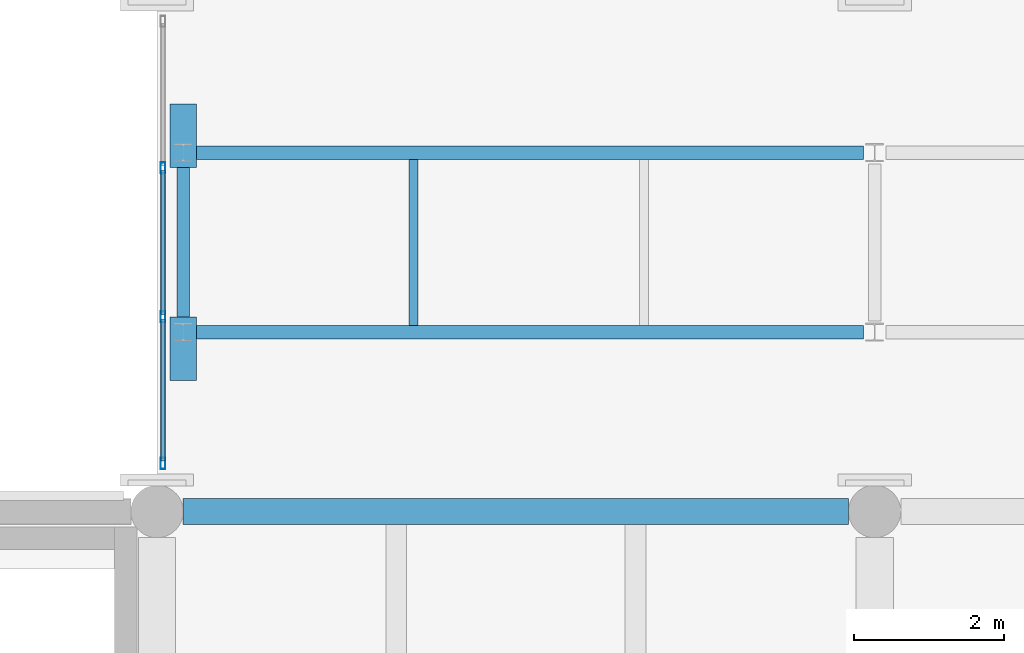
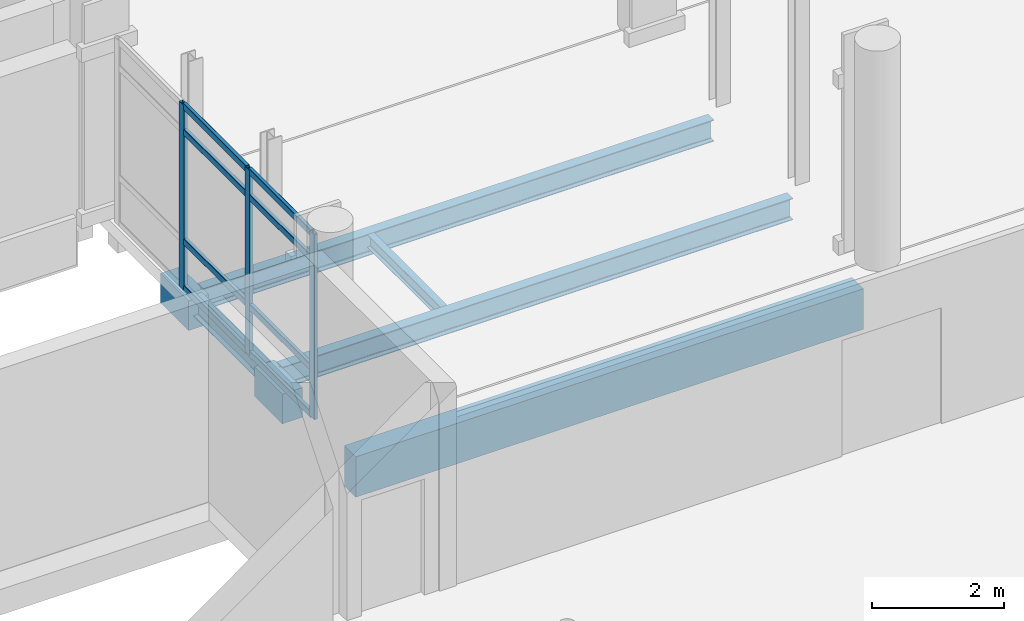
# One storey, part 18 of 180: 11 members, 7 beams, 1 element without a shape of its own.
"""IFC4 building model written with IfcOpenShell, lengths in metres."""

from ifc_helpers import new_model, si_unit, direction, frame, origin, origin_2d, place, context, subcontext, project, spatial, rectangle, hollow_rectangle, i_section, extrude, material, layer, layer_set, material_profile, profile_set, type_object, element, aggregate, save


model = new_model("IFC4")

# Units and contexts
model_context = context("Model", 3, precision=1e-05, world=origin(), true_north=direction((0.0, 1.0)))
body_context = subcontext(model_context, "Body", "Model", "MODEL_VIEW")
ifc_project = project(units=[si_unit("LENGTHUNIT", "METRE"), si_unit("AREAUNIT", "SQUARE_METRE"), si_unit("VOLUMEUNIT", "CUBIC_METRE"), si_unit("PLANEANGLEUNIT", "RADIAN"), si_unit("MASSUNIT", "GRAM", prefix="KILO")], contexts=[model_context])

# Site, building, storey
site_placement = place(None, origin())
site = spatial("IfcSite", under=ifc_project, at=site_placement, CompositionType="ELEMENT")
building_placement = place(site_placement, origin())
building = spatial("IfcBuilding", under=site, at=building_placement, Name="Asteropetra Specialist Clinic", CompositionType="ELEMENT")
storey_placement = place(building_placement, frame((0.0, 0.0, 4.419921875)))
storey = spatial("IfcBuildingStorey", under=building, at=storey_placement, Name="L01", CompositionType="ELEMENT", Elevation=4.419921875)

# Beams
ifc_material_1 = material(Name="Concrete C35/45", Category="concrete")
ifc_material_profile_1 = material_profile(ifc_material_1, rectangle(XDim=0.35009765625, YDim=0.550048828125, at=origin_2d()), Name="RCB 350x550")
ifc_profile_set_1 = profile_set([ifc_material_profile_1], Name="Concrete C35/45")
beam_type_1 = type_object("IfcBeamType", Name="BM-RC350x550", PredefinedType="BEAM", material=ifc_profile_set_1)
for number, where, z_axis, x_axis, name in (
    (1, (9.949951171875, 29.0, -0.559814453125), (0.0, -1.0, 0.0), (1.0, 0.0, 0.0), "Bridge Bearing Seat Corbel CRB-01"),
    (2, (9.949951171875, 31.0, -0.559814453125), (0.0, 1.0, 0.0), (-1.0, 0.0, 0.0), "Bridge Bearing Seat Corbel CRB-02"),
):
    element("IfcBeam", number, at=place(storey_placement, frame(where, z_axis=z_axis, x_axis=x_axis)), inside=storey, type_object=beam_type_1, Name=name, PredefinedType="BEAM", context=body_context, shape_type="SweptSolid", body=[
        extrude(rectangle(XDim=0.35009765625, YDim=0.550048828125, at=origin_2d()), origin(), (0.0, 0.0, 1.0), 0.85009765625),
    ])
ifc_material_2 = material(Name="Steel S355", Category="steel")
ifc_material_profile_2 = material_profile(ifc_material_2, i_section(OverallWidth=0.169921875, OverallDepth=0.360107421875, WebThickness=0.008056640625, FlangeThickness=0.0126953125, FilletRadius=0.01806640625, at=origin_2d()), Name="IPE 360")
ifc_profile_set_2 = profile_set([ifc_material_profile_2], Name="Steel S355")
beam_type_2 = type_object("IfcBeamType", Name="BM-STL-IPE360", PredefinedType="BEAM", material=ifc_profile_set_2)
beam_1_placement = place(storey_placement, frame((9.949951171875, 28.949951171875, -0.419921875), z_axis=(0.0, 1.0, 0.0), x_axis=(-1.0, 0.0, 0.0)))
element("IfcBeam", 3, at=beam_1_placement, inside=storey, type_object=beam_type_2, Name="Beam BBMS4-0804", PredefinedType="BEAM", context=body_context, shape_type="SweptSolid", body=[
    extrude(i_section(OverallWidth=0.169921875, OverallDepth=0.360107421875, WebThickness=0.008056640625, FlangeThickness=0.0126953125, FilletRadius=0.01806640625, at=origin_2d()), origin(), (0.0, 0.0, 1.0), 2.10009765625),
])
ifc_material_3 = material(Name="Steel S355", Category="steel")
ifc_material_profile_3 = material_profile(ifc_material_3, i_section(OverallWidth=0.179931640625, OverallDepth=0.39990234375, WebThickness=0.008544921875, FlangeThickness=0.013427734375, FilletRadius=0.02099609375, at=origin_2d()), Name="IPE 400")
ifc_profile_set_3 = profile_set([ifc_material_profile_3], Name="Steel S355")
beam_type_3 = type_object("IfcBeamType", Name="BM-STL-IPE400", PredefinedType="BEAM", material=ifc_profile_set_3)
for number, where, z_axis, x_axis, name in (
    (4, (10.10009765625, 28.800048828125, -0.43994140625), (1.0, 0.0, 0.0), (0.0, 1.0, 0.0), "Beam BBMS3-0800"),
    (5, (10.10009765625, 31.199951171875, -0.43994140625), (1.0, 0.0, 0.0), (0.0, 1.0, 0.0), "Beam BBMS3-0802"),
):
    element("IfcBeam", number, at=place(storey_placement, frame(where, z_axis=z_axis, x_axis=x_axis)), inside=storey, type_object=beam_type_3, Name=name, PredefinedType="BEAM", context=body_context, shape_type="SweptSolid", body=[
        extrude(i_section(OverallWidth=0.179931640625, OverallDepth=0.39990234375, WebThickness=0.008544921875, FlangeThickness=0.013427734375, FilletRadius=0.02099609375, at=origin_2d()), origin(), (0.0, 0.0, 1.0), 8.949951171875),
    ])

# Curtain wall, members
ifc_material_4 = material(Name="Aluminium and low-E glass", Category="aluminium")
ifc_layer = layer(ifc_material_4, 0.179931640625)
ifc_layer_set = layer_set([ifc_layer], Name="Aluminium and low-E glass")
curtain_wall_type = type_object("IfcCurtainWallType", Name="CW-SYS-07", PredefinedType="USERDEFINED", material=ifc_layer_set)
curtain_wall_placement = place(storey_placement, origin())
curtain_wall = element("IfcCurtainWall", 6, at=curtain_wall_placement, inside=storey, type_object=curtain_wall_type, Name="Curtain Wall CW-097", ObjectType="STICK GLAZED COLONNADE", PredefinedType="USERDEFINED")
ifc_material_5 = material(Name="Aluminium 6063-T6", Category="aluminium")
ifc_material_profile_4 = material_profile(ifc_material_5, hollow_rectangle(XDim=0.06494140625, YDim=0.14990234375, WallThickness=0.00390625, InnerFilletRadius=0.00390625, OuterFilletRadius=0.008056640625, at=origin_2d()), Name="MUL 150x65x4.0")
ifc_profile_set_4 = profile_set([ifc_material_profile_4], Name="Aluminium 6063-T6")
member_type_1 = type_object("IfcMemberType", Name="CWM-150x65", PredefinedType="MULLION", material=ifc_profile_set_4)
member_1_placement = place(storey_placement, frame((9.679931640625, 27.04248046875, 0.0), z_axis=(0.0, 0.0, 1.0), x_axis=(-1.0, 0.0, 0.0)))
member_1 = element("IfcMember", 7, at=member_1_placement, type_object=member_type_1, Name="CW-097 mullion 1", PredefinedType="MULLION", context=body_context, shape_type="SweptSolid", body=[
    extrude(hollow_rectangle(XDim=0.06494140625, YDim=0.14990234375, WallThickness=0.00390625, InnerFilletRadius=0.00390625, OuterFilletRadius=0.008056640625, at=origin_2d()), origin(), (0.0, 0.0, 1.0), 3.43017578125),
])
member_2_placement = place(storey_placement, frame((9.679931640625, 29.00341796875, 0.0), z_axis=(0.0, 0.0, 1.0), x_axis=(-1.0, 0.0, 0.0)))
member_2 = element("IfcMember", 8, at=member_2_placement, type_object=member_type_1, Name="CW-097 mullion 2", PredefinedType="MULLION", context=body_context, shape_type="SweptSolid", body=[
    extrude(hollow_rectangle(XDim=0.06494140625, YDim=0.14990234375, WallThickness=0.00390625, InnerFilletRadius=0.00390625, OuterFilletRadius=0.008056640625, at=origin_2d()), origin(), (0.0, 0.0, 1.0), 3.43017578125),
])
member_3_placement = place(storey_placement, frame((9.679931640625, 30.99658203125, 0.0), z_axis=(0.0, 0.0, 1.0), x_axis=(-1.0, 0.0, 0.0)))
member_3 = element("IfcMember", 9, at=member_3_placement, type_object=member_type_1, Name="CW-097 mullion 3", PredefinedType="MULLION", context=body_context, shape_type="SweptSolid", body=[
    extrude(hollow_rectangle(XDim=0.06494140625, YDim=0.14990234375, WallThickness=0.00390625, InnerFilletRadius=0.00390625, OuterFilletRadius=0.008056640625, at=origin_2d()), origin(), (0.0, 0.0, 1.0), 3.43017578125),
])
ifc_material_6 = material(Name="Aluminium 6063-T6", Category="aluminium")
ifc_material_profile_5 = material_profile(ifc_material_6, hollow_rectangle(XDim=0.06494140625, YDim=0.1201171875, WallThickness=0.00390625, InnerFilletRadius=0.00390625, OuterFilletRadius=0.008056640625, at=origin_2d()), Name="TRN 120x65x4.0")
ifc_profile_set_5 = profile_set([ifc_material_profile_5], Name="Aluminium 6063-T6")
member_type_2 = type_object("IfcMemberType", Name="CWT-120x65", PredefinedType="USERDEFINED", material=ifc_profile_set_5)
member_4_placement = place(storey_placement, frame((9.679931640625, 27.074951171875, 0.032470703125), z_axis=(0.0, 1.0, 0.0), x_axis=(-1.0, 0.0, 0.0)))
member_4 = element("IfcMember", 10, at=member_4_placement, type_object=member_type_2, Name="CW-097 transom 1.1", ObjectType="TRANSOM", PredefinedType="USERDEFINED", context=body_context, shape_type="SweptSolid", body=[
    extrude(hollow_rectangle(XDim=0.06494140625, YDim=0.1201171875, WallThickness=0.00390625, InnerFilletRadius=0.00390625, OuterFilletRadius=0.008056640625, at=origin_2d()), origin(), (0.0, 0.0, 1.0), 1.89599609375),
])
member_5_placement = place(storey_placement, frame((9.679931640625, 27.074951171875, 0.900146484375), z_axis=(0.0, 1.0, 0.0), x_axis=(-1.0, 0.0, 0.0)))
member_5 = element("IfcMember", 11, at=member_5_placement, type_object=member_type_2, Name="CW-097 transom 1.2", ObjectType="TRANSOM", PredefinedType="USERDEFINED", context=body_context, shape_type="SweptSolid", body=[
    extrude(hollow_rectangle(XDim=0.06494140625, YDim=0.1201171875, WallThickness=0.00390625, InnerFilletRadius=0.00390625, OuterFilletRadius=0.008056640625, at=origin_2d()), origin(), (0.0, 0.0, 1.0), 1.89599609375),
])
member_6_placement = place(storey_placement, frame((9.679931640625, 27.074951171875, 2.93017578125), z_axis=(0.0, 1.0, 0.0), x_axis=(-1.0, 0.0, 0.0)))
member_6 = element("IfcMember", 12, at=member_6_placement, type_object=member_type_2, Name="CW-097 transom 1.3", ObjectType="TRANSOM", PredefinedType="USERDEFINED", context=body_context, shape_type="SweptSolid", body=[
    extrude(hollow_rectangle(XDim=0.06494140625, YDim=0.1201171875, WallThickness=0.00390625, InnerFilletRadius=0.00390625, OuterFilletRadius=0.008056640625, at=origin_2d()), origin(), (0.0, 0.0, 1.0), 1.89599609375),
])
member_7_placement = place(storey_placement, frame((9.679931640625, 27.074951171875, 3.3974609375), z_axis=(0.0, 1.0, 0.0), x_axis=(-1.0, 0.0, 0.0)))
member_7 = element("IfcMember", 13, at=member_7_placement, type_object=member_type_2, Name="CW-097 transom 1.4", ObjectType="TRANSOM", PredefinedType="USERDEFINED", context=body_context, shape_type="SweptSolid", body=[
    extrude(hollow_rectangle(XDim=0.06494140625, YDim=0.1201171875, WallThickness=0.00390625, InnerFilletRadius=0.00390625, OuterFilletRadius=0.008056640625, at=origin_2d()), origin(), (0.0, 0.0, 1.0), 1.89599609375),
])
member_8_placement = place(storey_placement, frame((9.679931640625, 29.035888671875, 0.032470703125), z_axis=(0.0, 1.0, 0.0), x_axis=(-1.0, 0.0, 0.0)))
member_8 = element("IfcMember", 14, at=member_8_placement, type_object=member_type_2, Name="CW-097 transom 2.1", ObjectType="TRANSOM", PredefinedType="USERDEFINED", context=body_context, shape_type="SweptSolid", body=[
    extrude(hollow_rectangle(XDim=0.06494140625, YDim=0.1201171875, WallThickness=0.00390625, InnerFilletRadius=0.00390625, OuterFilletRadius=0.008056640625, at=origin_2d()), origin(), (0.0, 0.0, 1.0), 1.92822265625),
])
member_9_placement = place(storey_placement, frame((9.679931640625, 29.035888671875, 0.900146484375), z_axis=(0.0, 1.0, 0.0), x_axis=(-1.0, 0.0, 0.0)))
member_9 = element("IfcMember", 15, at=member_9_placement, type_object=member_type_2, Name="CW-097 transom 2.2", ObjectType="TRANSOM", PredefinedType="USERDEFINED", context=body_context, shape_type="SweptSolid", body=[
    extrude(hollow_rectangle(XDim=0.06494140625, YDim=0.1201171875, WallThickness=0.00390625, InnerFilletRadius=0.00390625, OuterFilletRadius=0.008056640625, at=origin_2d()), origin(), (0.0, 0.0, 1.0), 1.92822265625),
])
member_10_placement = place(storey_placement, frame((9.679931640625, 29.035888671875, 2.93017578125), z_axis=(0.0, 1.0, 0.0), x_axis=(-1.0, 0.0, 0.0)))
member_10 = element("IfcMember", 16, at=member_10_placement, type_object=member_type_2, Name="CW-097 transom 2.3", ObjectType="TRANSOM", PredefinedType="USERDEFINED", context=body_context, shape_type="SweptSolid", body=[
    extrude(hollow_rectangle(XDim=0.06494140625, YDim=0.1201171875, WallThickness=0.00390625, InnerFilletRadius=0.00390625, OuterFilletRadius=0.008056640625, at=origin_2d()), origin(), (0.0, 0.0, 1.0), 1.92822265625),
])
member_11_placement = place(storey_placement, frame((9.679931640625, 29.035888671875, 3.3974609375), z_axis=(0.0, 1.0, 0.0), x_axis=(-1.0, 0.0, 0.0)))
member_11 = element("IfcMember", 17, at=member_11_placement, type_object=member_type_2, Name="CW-097 transom 2.4", ObjectType="TRANSOM", PredefinedType="USERDEFINED", context=body_context, shape_type="SweptSolid", body=[
    extrude(hollow_rectangle(XDim=0.06494140625, YDim=0.1201171875, WallThickness=0.00390625, InnerFilletRadius=0.00390625, OuterFilletRadius=0.008056640625, at=origin_2d()), origin(), (0.0, 0.0, 1.0), 1.92822265625),
])
aggregate(curtain_wall, [member_1, member_2, member_3, member_4, member_5, member_6, member_7, member_8, member_9, member_10, member_11])

# Beams
ifc_material_7 = material(Name="Steel S355", Category="steel")
ifc_material_profile_6 = material_profile(ifc_material_7, i_section(OverallWidth=0.1201171875, OverallDepth=0.239990234375, WebThickness=0.006103515625, FlangeThickness=0.009765625, FilletRadius=0.014892578125, at=origin_2d()), Name="IPE 240")
ifc_profile_set_6 = profile_set([ifc_material_profile_6], Name="Steel S355")
beam_type_4 = type_object("IfcBeamType", Name="JST-STL-IPE240", PredefinedType="JOIST", material=ifc_profile_set_6)
beam_2_placement = place(storey_placement, frame((13.033203125, 28.889892578125, -0.35986328125), z_axis=(0.0, 1.0, 0.0), x_axis=(-1.0, 0.0, 0.0)))
element("IfcBeam", 18, at=beam_2_placement, inside=storey, type_object=beam_type_4, Name="Joist JJSTS1-0807", PredefinedType="JOIST", context=body_context, shape_type="SweptSolid", body=[
    extrude(i_section(OverallWidth=0.1201171875, OverallDepth=0.239990234375, WebThickness=0.006103515625, FlangeThickness=0.009765625, FilletRadius=0.014892578125, at=origin_2d()), origin(), (0.0, 0.0, 1.0), 2.22021484375),
])
ifc_material_8 = material(Name="Concrete C35/45", Category="concrete")
ifc_material_profile_7 = material_profile(ifc_material_8, rectangle(XDim=0.35009765625, YDim=0.75, at=origin_2d()), Name="RCS 350x750")
ifc_profile_set_7 = profile_set([ifc_material_profile_7], Name="Concrete C35/45")
beam_type_5 = type_object("IfcBeamType", Name="SPN-RC350x750", PredefinedType="SPANDREL", material=ifc_profile_set_7)
beam_3_placement = place(storey_placement, frame((9.949951171875, 26.39990234375, -0.71484375), z_axis=(1.0, 0.0, 0.0), x_axis=(0.0, 1.0, 0.0)))
element("IfcBeam", 19, at=beam_3_placement, inside=storey, type_object=beam_type_5, Name="Beam BSPN01-0247", PredefinedType="SPANDREL", context=body_context, shape_type="SweptSolid", body=[
    extrude(rectangle(XDim=0.35009765625, YDim=0.75, at=origin_2d()), origin(), (0.0, 0.0, 1.0), 8.900146484375),
])

save(model, "model.ifc")
